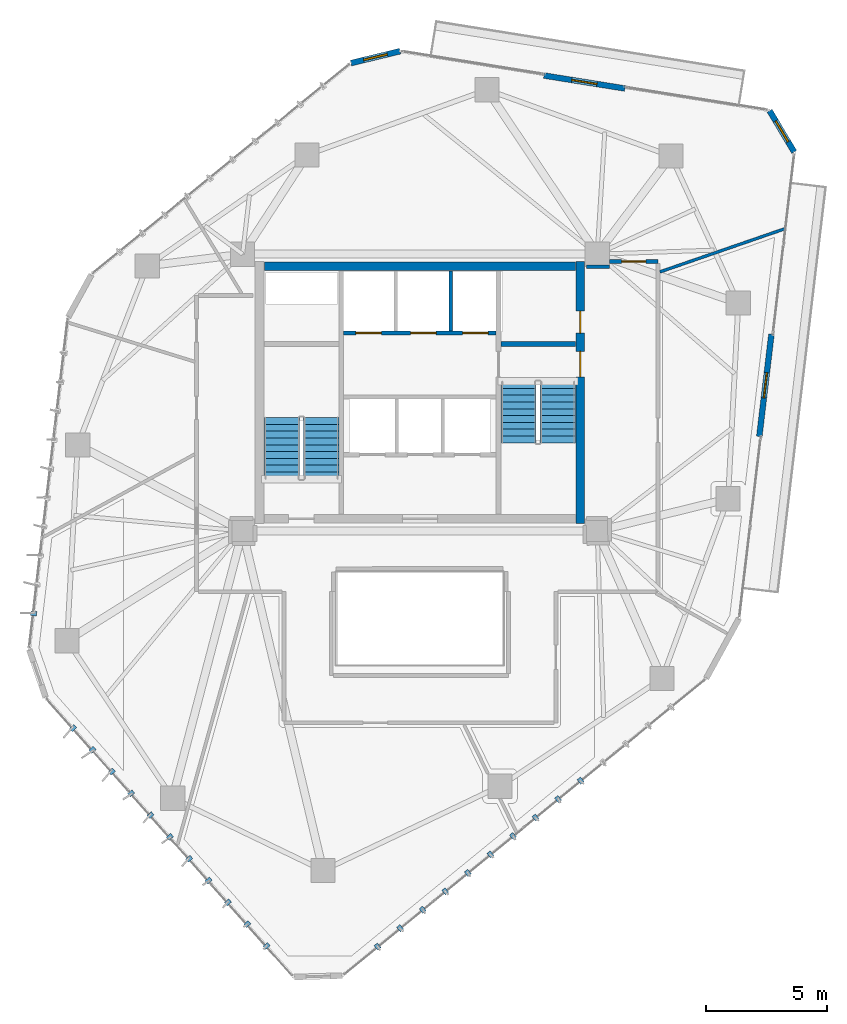
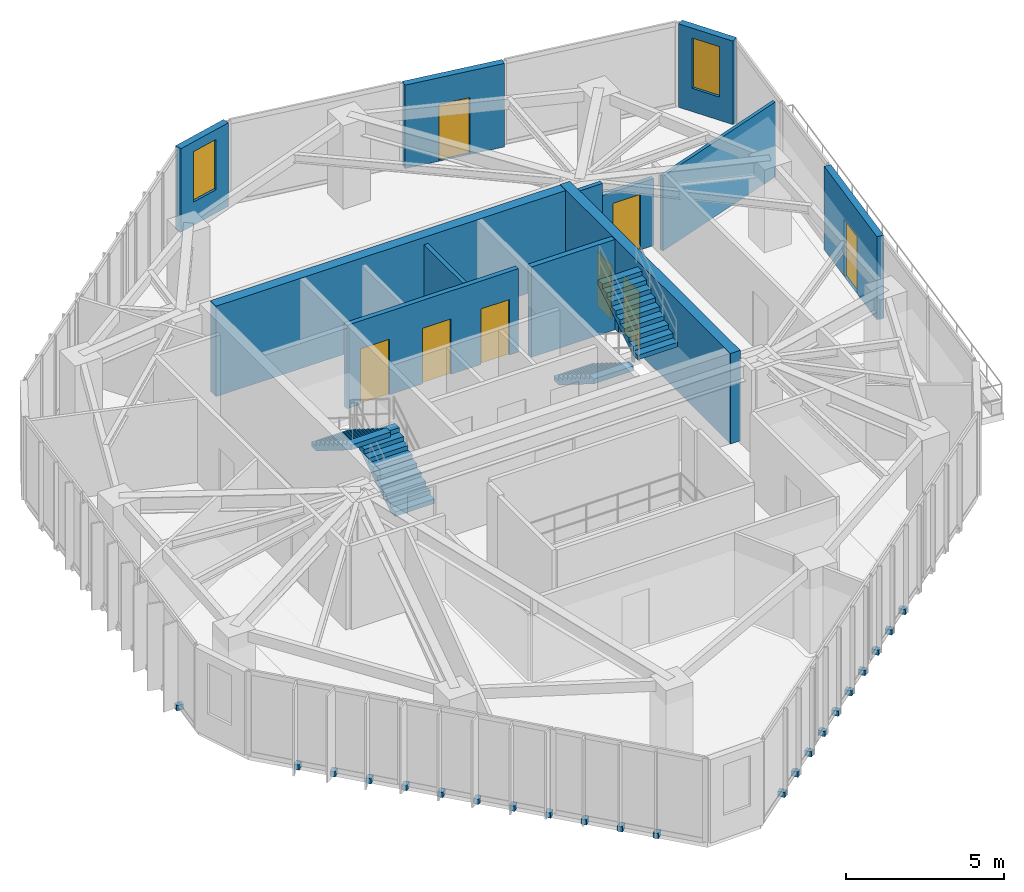
# One storey, part 19 of 22: 22 discrete accessories, 12 walls, 8 doors, 4 stair flights, 2 windows, 10 openings, 2 elements without a shape of their own.
"""IFC4 building model written with IfcOpenShell, lengths in metres."""

import ifcopenshell
import ifcopenshell.guid

model = None  # the IFC model being written
_history = None  # IfcOwnerHistory: only IFC2X3 demands one
_inside = {}  # id of a spatial element -> (the spatial element, [elements in it])
_under = {}  # id of a project, library or spatial element -> (it, [spatial elements below it])
_declared = {}  # id of a project -> (the project, [libraries it declares])
_typed = {}  # id of a type object -> (the type object, [elements of that type])
_made_of = {}  # id of a material, layer set ... -> (it, [elements and type objects made of it])


def new_model(schema):
    """Start an empty IFC model of exactly this schema.

    Asked for "IFC4X3", IfcOpenShell would pick the latest addendum, in which some entities
    have other attributes; the version numbers below select the first issue.
    IFC2X3 requires an IfcOwnerHistory on every rooted entity: one is made here for all.
    """
    global model, _history
    if schema == "IFC4X3":
        model = ifcopenshell.file(schema_version=(4, 3, 0, 0))
    else:
        model = ifcopenshell.file(schema=schema)
    _inside.clear()
    _under.clear()
    _declared.clear()
    _typed.clear()
    _made_of.clear()
    _history = None
    if model.schema == "IFC2X3":
        org = make("IfcOrganization", Name="unknown")
        user = make(
            "IfcPersonAndOrganization",
            ThePerson=make("IfcPerson", FamilyName="unknown"),
            TheOrganization=org,
        )
        app = make(
            "IfcApplication",
            ApplicationDeveloper=org,
            Version="unknown",
            ApplicationFullName="unknown",
            ApplicationIdentifier="unknown",
        )
        _history = make(
            "IfcOwnerHistory",
            OwningUser=user,
            OwningApplication=app,
            ChangeAction="ADDED",
            CreationDate=0,
        )
    return model


def make(cls, **values):
    """One entity of the class cls with the attributes given. An attribute that is None is left unset."""
    return model.create_entity(
        cls, **{name: value for name, value in values.items() if value is not None}
    )


def rooted(cls, **values):
    """An entity with a GlobalId (a new one), such as an element, a storey or a relation."""
    return make(cls, GlobalId=ifcopenshell.guid.new(), OwnerHistory=_history, **values)


def si_unit(unit_type, name, prefix=None):
    """IfcSIUnit, for example si_unit("LENGTHUNIT", "METRE", prefix="MILLI")."""
    return make("IfcSIUnit", UnitType=unit_type, Prefix=prefix, Name=name)


def assignment(units):
    """IfcUnitAssignment: the units of a project."""
    return None if units is None else make("IfcUnitAssignment", Units=units)


def point(xyz):
    """IfcCartesianPoint."""
    return None if xyz is None else make("IfcCartesianPoint", Coordinates=xyz)


def direction(xyz):
    """IfcDirection."""
    return None if xyz is None else make("IfcDirection", DirectionRatios=xyz)


def frame(location, z_axis=None, x_axis=None):
    """IfcAxis2Placement3D, a coordinate frame: its origin and axes. An axis left out is left unset."""
    return make(
        "IfcAxis2Placement3D",
        Location=point(location),
        Axis=direction(z_axis),
        RefDirection=direction(x_axis),
    )


def frame_2d(location, x_axis=None):
    """IfcAxis2Placement2D, a coordinate frame in the plane: its origin and x axis."""
    return make(
        "IfcAxis2Placement2D", Location=point(location), RefDirection=direction(x_axis)
    )


def origin():
    """The frame at (0, 0, 0) with its axes left unset."""
    return frame((0.0, 0.0, 0.0))


def origin_2d():
    """The frame at (0, 0) in the plane with its x axis left unset."""
    return frame_2d((0.0, 0.0))


def place(relative_to, where):
    """IfcLocalPlacement: puts the frame where relative to a parent placement (None: the world)."""
    return make(
        "IfcLocalPlacement", PlacementRelTo=relative_to, RelativePlacement=where
    )


def context(
    kind, dimensions, precision=None, world=None, true_north=None, identifier=None
):
    """IfcGeometricRepresentationContext, for example the 3D "Model" context."""
    return make(
        "IfcGeometricRepresentationContext",
        ContextIdentifier=identifier,
        ContextType=kind,
        CoordinateSpaceDimension=dimensions,
        Precision=precision,
        WorldCoordinateSystem=world,
        TrueNorth=true_north,
    )


def subcontext(parent, identifier, kind, view, scale=None):
    """IfcGeometricRepresentationSubContext, for example "Body" below "Model"."""
    return make(
        "IfcGeometricRepresentationSubContext",
        ContextIdentifier=identifier,
        ContextType=kind,
        ParentContext=parent,
        TargetScale=scale,
        TargetView=view,
    )


def project(units=None, contexts=None):
    """IfcProject with its units and contexts."""
    return rooted(
        "IfcProject",
        Name="project",
        RepresentationContexts=contexts,
        UnitsInContext=assignment(units),
    )


def spatial(cls, under=None, at=None, **own):
    """A site, building, storey or space (cls), placed at a placement, below another one or the project."""
    s = rooted(cls, ObjectPlacement=at, **own)
    if under is not None:
        _under.setdefault(under.id(), (under, []))[1].append(s)
    return s


def polyline(points):
    """IfcPolyline through the points."""
    return make("IfcPolyline", Points=[point(p) for p in points])


def profile(cls, at=None, kind="AREA", **sizes):
    """A parametric profile (cls). Its sizes go by their IFC names, for example OverallWidth=200.0."""
    return make(cls, ProfileType=kind, Position=at, **sizes)


def rectangle(**sizes):
    """IfcRectangleProfileDef."""
    return profile("IfcRectangleProfileDef", **sizes)


def outline(outer, holes=None, kind="AREA"):
    """IfcArbitraryClosedProfileDef: a profile drawn as a closed curve; with holes, ...WithVoids."""
    if holes is None:
        return make("IfcArbitraryClosedProfileDef", ProfileType=kind, OuterCurve=outer)
    return make(
        "IfcArbitraryProfileDefWithVoids",
        ProfileType=kind,
        OuterCurve=outer,
        InnerCurves=holes,
    )


def extrude(swept, where, along, depth):
    """IfcExtrudedAreaSolid: the profile swept, set in the frame where, extruded along a direction by depth."""
    return make(
        "IfcExtrudedAreaSolid",
        SweptArea=swept,
        Position=where,
        ExtrudedDirection=direction(along),
        Depth=depth,
    )


def shape(context_of_items, identifier, shape_type, items):
    """IfcShapeRepresentation: the items that make up one representation, for example the "Body"."""
    return make(
        "IfcShapeRepresentation",
        ContextOfItems=context_of_items,
        RepresentationIdentifier=identifier,
        RepresentationType=shape_type,
        Items=items,
    )


def source(mapping_origin, context_of_items, identifier, shape_type, items):
    """IfcRepresentationMap: a shape defined once, which mapped items show again and again."""
    return make(
        "IfcRepresentationMap",
        MappingOrigin=mapping_origin,
        MappedRepresentation=shape(context_of_items, identifier, shape_type, items),
    )


def transform(
    local_origin,
    x_axis=None,
    y_axis=None,
    z_axis=None,
    scale=None,
    scale2=None,
    scale3=None,
    uniform=True,
):
    """IfcCartesianTransformationOperator3D, or its non-uniform kind. x_axis, y_axis, z_axis: its Axis1, 2, 3."""
    if uniform:
        return make(
            "IfcCartesianTransformationOperator3D",
            Axis1=direction(x_axis),
            Axis2=direction(y_axis),
            LocalOrigin=point(local_origin),
            Scale=scale,
            Axis3=direction(z_axis),
        )
    return make(
        "IfcCartesianTransformationOperator3DnonUniform",
        Axis1=direction(x_axis),
        Axis2=direction(y_axis),
        LocalOrigin=point(local_origin),
        Scale=scale,
        Axis3=direction(z_axis),
        Scale2=scale2,
        Scale3=scale3,
    )


def mapped(mapping_source, mapping_target):
    """IfcMappedItem: shows the shape of a source again, moved by a transform."""
    return make(
        "IfcMappedItem", MappingSource=mapping_source, MappingTarget=mapping_target
    )


def material(Name=None, Category=None):
    """IfcMaterial."""
    return make("IfcMaterial", Name=Name, Category=Category)


def layer(
    of_material, thickness, ventilated=None, Name=None, Category=None, Priority=None
):
    """IfcMaterialLayer: one layer of a wall or slab, of a material (None: an air gap)."""
    return make(
        "IfcMaterialLayer",
        Material=of_material,
        LayerThickness=thickness,
        IsVentilated=ventilated,
        Name=Name,
        Category=Category,
        Priority=Priority,
    )


def layer_set(layers, Name=None):
    """IfcMaterialLayerSet."""
    return make("IfcMaterialLayerSet", MaterialLayers=layers, LayerSetName=Name)


def made_of(thing, what):
    """Note that an element or type object is made of a material, layer set ...; save() writes the relation."""
    if what is not None:
        _made_of.setdefault(what.id(), (what, []))[1].append(thing)
    return thing


def type_object(cls, material=None, **own):
    """A type object (cls), such as IfcWallType, which elements share."""
    return made_of(rooted(cls, **own), material)


def type_shapes(of_type, sources):
    """Give a type object the sources (RepresentationMaps) that its elements show as mapped items."""
    of_type.RepresentationMaps = sources


def element(
    cls,
    number,
    at=None,
    inside=None,
    cuts=None,
    type_object=None,
    material=None,
    context=None,
    identifier="Body",
    shape_type=None,
    held_by="IfcProductDefinitionShape",
    body=None,
    shapes=None,
    **own,
):
    """One element of the class cls, such as IfcWall. Its Tag is "e" and its number.

    at: its placement. inside: the storey or other place that contains it. cuts: it is an
    opening in that element (IfcRelVoidsElement). A single representation is given by context,
    identifier, shape_type and body (its items); several are given by shapes. held_by: the class
    of the entity that holds the representations. save() writes the other relations.
    """
    e = rooted(cls, Tag="e%d" % number, ObjectPlacement=at, **own)
    if body is not None:
        shapes = [shape(context, identifier, shape_type, body)]
    if shapes is not None:
        e.Representation = make(held_by, Representations=shapes)
    if inside is not None:
        _inside.setdefault(inside.id(), (inside, []))[1].append(e)
    if cuts is not None:
        rooted(
            "IfcRelVoidsElement", RelatingBuildingElement=cuts, RelatedOpeningElement=e
        )
    if type_object is not None:
        _typed.setdefault(type_object.id(), (type_object, []))[1].append(e)
    return made_of(e, material)


def fill(opening, filler):
    """IfcRelFillsElement: the door or window that sits in an opening."""
    return rooted(
        "IfcRelFillsElement",
        RelatingOpeningElement=opening,
        RelatedBuildingElement=filler,
    )


def aggregate(whole, parts):
    """IfcRelAggregates: a whole, such as a stair, and the parts it consists of."""
    return rooted("IfcRelAggregates", RelatingObject=whole, RelatedObjects=parts)


def save(model, path):
    """Write the relations noted so far, then the file.

    IfcRelAggregates (storeys below a building ...), IfcRelContainedInSpatialStructure (elements
    in a storey), IfcRelDefinesByType, IfcRelAssociatesMaterial and IfcRelDeclares: one each for
    every whole, place, type object, material and project.
    """
    for whole, parts in _under.values():
        aggregate(whole, parts)
    for where, things in _inside.values():
        rooted(
            "IfcRelContainedInSpatialStructure",
            RelatedElements=things,
            RelatingStructure=where,
        )
    for kind, things in _typed.values():
        rooted("IfcRelDefinesByType", RelatedObjects=things, RelatingType=kind)
    for what, things in _made_of.values():
        rooted("IfcRelAssociatesMaterial", RelatedObjects=things, RelatingMaterial=what)
    for by, libraries in _declared.values():
        rooted("IfcRelDeclares", RelatingContext=by, RelatedDefinitions=libraries)
    model.write(path)


model = new_model("IFC4")

# Units and contexts
model_context = context("Model", 3, precision=1e-05, world=origin(), true_north=direction((0.0, 1.0)))
body_context = subcontext(model_context, "Body", "Model", "MODEL_VIEW")
ifc_project = project(units=[si_unit("LENGTHUNIT", "METRE"), si_unit("AREAUNIT", "SQUARE_METRE"), si_unit("VOLUMEUNIT", "CUBIC_METRE"), si_unit("PLANEANGLEUNIT", "RADIAN"), si_unit("MASSUNIT", "GRAM", prefix="KILO")], contexts=[model_context])

# Site, building, storey
site_placement = place(None, origin())
site = spatial("IfcSite", under=ifc_project, at=site_placement, CompositionType="ELEMENT")
building_placement = place(site_placement, origin())
building = spatial("IfcBuilding", under=site, at=building_placement, Name="Talar Marvaseh", CompositionType="ELEMENT")
storey_placement = place(building_placement, frame((0.0, 0.0, 229.199951171875)))
storey = spatial("IfcBuildingStorey", under=building, at=storey_placement, Name="L60", CompositionType="ELEMENT", Elevation=229.199951171875)

# Wall, opening, window
ifc_material_1 = material(Name="Precast concrete C45/55", Category="concrete")
ifc_layer_1 = layer(ifc_material_1, 0.239990234375)
ifc_layer_set_1 = layer_set([ifc_layer_1], Name="Precast concrete C45/55")
wall_type_1 = type_object("IfcWallType", Name="Chamfered Hexagonal Corner Pier Wall Z3 240", PredefinedType="SOLIDWALL", material=ifc_layer_set_1)
wall_1_placement = place(storey_placement, frame((23.158447265625, 44.766845703125, 0.0), z_axis=(0.0, 0.0, 1.0), x_axis=(0.971863892144, 0.235543149227, 0.0)))
wall_1 = element("IfcWall", 1, at=wall_1_placement, inside=storey, type_object=wall_type_1, Name="L60 Chamfered Corner Limestone Pier 4", PredefinedType="SOLIDWALL", context=body_context, shape_type="SweptSolid", body=[
    extrude(rectangle(XDim=2.088623046875, YDim=0.239990234375, at=frame_2d((1.04443359375, 0.0))), origin(), (0.0, 0.0, 1.0), 3.22998046875),
])
opening_1_placement = place(wall_1_placement, frame((0.5439453125, 0.0, 0.89990234375)))
opening_1 = element("IfcOpeningElement", 2, at=opening_1_placement, cuts=wall_1, Name="Opening WN-CHM10", PredefinedType="OPENING", context=body_context, shape_type="SweptSolid", body=[
    extrude(rectangle(XDim=1.0, YDim=1.949951171875, at=frame_2d((0.5, 0.97509765625))), frame((0.0, 0.1298828125, 0.0), z_axis=(0.0, -1.0, 0.0), x_axis=(1.0, 0.0, 0.0)), (0.0, 0.0, 1.0), 0.260009765625),
])
ifc_material_2 = material(Name="Laminated Low-E Solar Glass", Category="glass")
window_type = type_object("IfcWindowType", Name="Zone 3 Chamfered Corner Slot Window 1000x1950", PartitioningType="SINGLE_PANEL", PredefinedType="WINDOW", material=ifc_material_2)
shared_shape_1 = source(origin(), body_context, "Body", "SweptSolid", [
    extrude(rectangle(XDim=1.0, YDim=1.949951171875, at=frame_2d((0.5, 0.97509765625))), frame((0.0, 0.030029296875, 0.0), z_axis=(0.0, -1.0, 0.0), x_axis=(1.0, 0.0, 0.0)), (0.0, 0.0, 1.0), 0.06005859375),
])
type_shapes(window_type, [shared_shape_1])
window_1_placement = place(opening_1_placement, origin())
window_1 = element("IfcWindow", 3, at=window_1_placement, inside=storey, type_object=window_type, Name="L60 Chamfered Corner Slot Window", OverallHeight=1.949951171875, OverallWidth=1.0, PartitioningType="SINGLE_PANEL", PredefinedType="WINDOW", context=body_context, shape_type="MappedRepresentation", body=[
    mapped(shared_shape_1, transform((0.0, 0.0, 0.0), x_axis=(1.0, 0.0, 0.0), y_axis=(0.0, 1.0, 0.0), z_axis=(0.0, 0.0, 1.0), scale=1.0)),
])
fill(opening_1, window_1)

wall_2_placement = place(storey_placement, frame((40.39990234375, 42.806396484375, 0.0), z_axis=(0.0, 0.0, 1.0), x_axis=(0.512388507924, -0.85875375804, 0.0)))
wall_2 = element("IfcWall", 4, at=wall_2_placement, inside=storey, type_object=wall_type_1, Name="L60 Chamfered Corner Limestone Pier 5", PredefinedType="SOLIDWALL", context=body_context, shape_type="SweptSolid", body=[
    extrude(rectangle(XDim=1.977783203125, YDim=0.239990234375, at=frame_2d((0.98876953125, 0.0))), origin(), (0.0, 0.0, 1.0), 3.22998046875),
])
opening_2_placement = place(wall_2_placement, frame((0.489013671875, 0.0, 0.89990234375)))
opening_2 = element("IfcOpeningElement", 5, at=opening_2_placement, cuts=wall_2, Name="Opening WN-CHM10", PredefinedType="OPENING", context=body_context, shape_type="SweptSolid", body=[
    extrude(rectangle(XDim=1.0, YDim=1.949951171875, at=frame_2d((0.5, 0.97509765625))), frame((0.0, 0.1298828125, 0.0), z_axis=(0.0, -1.0, 0.0), x_axis=(1.0, 0.0, 0.0)), (0.0, 0.0, 1.0), 0.260009765625),
])
window_2_placement = place(opening_2_placement, origin())
window_2 = element("IfcWindow", 6, at=window_2_placement, inside=storey, type_object=window_type, Name="L60 Chamfered Corner Slot Window", OverallHeight=1.949951171875, OverallWidth=1.0, PartitioningType="SINGLE_PANEL", PredefinedType="WINDOW", context=body_context, shape_type="MappedRepresentation", body=[
    mapped(shared_shape_1, transform((0.0, 0.0, 0.0), x_axis=(1.0, 0.0, 0.0), y_axis=(0.0, 1.0, 0.0), z_axis=(0.0, 0.0, 1.0), scale=1.0)),
])
fill(opening_2, window_2)

# Wall, opening, door
ifc_material_3 = material(Name="Gypsum Board Partition Assembly")
ifc_layer_2 = layer(ifc_material_3, 0.155029296875)
ifc_layer_set_2 = layer_set([ifc_layer_2], Name="Gypsum Board Partition Assembly")
wall_type_2 = type_object("IfcWallType", Name="Corridor Fire-Rated Acoustic Partition 155", PredefinedType="PARTITIONING", material=ifc_layer_set_2)
wall_3_placement = place(storey_placement, frame((33.81494140625, 36.60009765625, 0.0), z_axis=(0.0, 0.0, 1.0), x_axis=(1.0, 0.0, 0.0)))
wall_3 = element("IfcWall", 7, at=wall_3_placement, inside=storey, type_object=wall_type_2, Name="L60 Interior Partition Wall", PredefinedType="PARTITIONING", context=body_context, shape_type="SweptSolid", body=[
    extrude(rectangle(XDim=1.985107421875, YDim=0.155029296875, at=frame_2d((0.99267578125, 0.0))), origin(), (0.0, 0.0, 1.0), 2.589111328125),
])
opening_3_placement = place(wall_3_placement, frame((0.492431640625, 0.0, 0.0)))
opening_3 = element("IfcOpeningElement", 8, at=opening_3_placement, cuts=wall_3, Name="Opening DR-RM100", PredefinedType="OPENING", context=body_context, shape_type="SweptSolid", body=[
    extrude(rectangle(XDim=1.0, YDim=2.14990234375, at=frame_2d((0.5, 1.074951171875))), frame((0.0, 0.08740234375, 0.0), z_axis=(0.0, -1.0, 0.0), x_axis=(1.0, 0.0, 0.0)), (0.0, 0.0, 1.0), 0.175048828125),
])
ifc_material_4 = material(Name="Acoustic Engineered Oak Timber", Category="wood")
door_type_1 = type_object("IfcDoorType", Name="Corridor Fire-Rated Gallery Door 1000x2150", OperationType="NOTDEFINED", PredefinedType="DOOR", material=ifc_material_4)
shared_shape_2 = source(origin(), body_context, "Body", "SweptSolid", [
    extrude(rectangle(XDim=1.0, YDim=2.14990234375, at=frame_2d((0.5, 1.074951171875))), frame((0.0, 0.02490234375, 0.0), z_axis=(0.0, -1.0, 0.0), x_axis=(1.0, 0.0, 0.0)), (0.0, 0.0, 1.0), 0.050048828125),
])
type_shapes(door_type_1, [shared_shape_2])
door_1_placement = place(opening_3_placement, origin())
door_1 = element("IfcDoor", 9, at=door_1_placement, inside=storey, type_object=door_type_1, Name="L60 Scholars' Registration Reception Door", OperationType="SINGLE_SWING_RIGHT", OverallHeight=2.14990234375, OverallWidth=1.0, PredefinedType="DOOR", context=body_context, shape_type="MappedRepresentation", body=[
    mapped(shared_shape_2, transform((0.0, 0.0, 0.0), x_axis=(1.0, 0.0, 0.0), y_axis=(0.0, 1.0, 0.0), z_axis=(0.0, 0.0, 1.0), scale=1.0)),
])
fill(opening_3, door_1)

# Walls
wall_4_placement = place(storey_placement, frame((32.8701171875, 36.385009765625, 0.0), z_axis=(0.0, 0.0, 1.0), x_axis=(0.999999965754, 0.000261711585, 0.0)))
element("IfcWall", 10, at=wall_4_placement, inside=storey, type_object=wall_type_2, Name="L60 Interior Partition Wall", PredefinedType="PARTITIONING", context=body_context, shape_type="SweptSolid", body=[
    extrude(rectangle(XDim=0.932861328125, YDim=0.155029296875, at=frame_2d((0.46630859375, 0.0))), origin(), (0.0, 0.0, 1.0), 3.22998046875),
])
ifc_layer_3 = layer(ifc_material_3, 0.1201171875)
ifc_layer_set_3 = layer_set([ifc_layer_3], Name="Gypsum Board Partition Assembly")
wall_type_3 = type_object("IfcWallType", Name="Demountable Studio Room Partition 120", PredefinedType="PARTITIONING", material=ifc_layer_set_3)
wall_5_placement = place(storey_placement, frame((35.883544921875, 36.168701171875, 0.0), z_axis=(0.0, 0.0, 1.0), x_axis=(0.945247072942, 0.326355589956, 0.0)))
element("IfcWall", 11, at=wall_5_placement, inside=storey, type_object=wall_type_3, Name="L60 Interior Partition Wall", PredefinedType="PARTITIONING", context=body_context, shape_type="SweptSolid", body=[
    extrude(rectangle(XDim=5.443115234375, YDim=0.1201171875, at=frame_2d((2.7216796875, 0.0))), origin(), (0.0, 0.0, 1.0), 2.89208984375),
])
ifc_layer_4 = layer(ifc_material_1, 0.14501953125)
ifc_layer_set_4 = layer_set([ifc_layer_4], Name="Precast concrete C45/55")
wall_type_4 = type_object("IfcWallType", Name="Fire-Rated Lift Divider Wall 145", PredefinedType="SOLIDWALL", material=ifc_layer_set_4)
wall_6_placement = place(storey_placement, frame((27.280029296875, 33.743408203125, 0.0), z_axis=(0.0, 0.0, 1.0), x_axis=(0.0, 1.0, 0.0)))
element("IfcWall", 12, at=wall_6_placement, inside=storey, type_object=wall_type_4, Name="L60 FFL-2/SVL-1 Divider", PredefinedType="SOLIDWALL", context=body_context, shape_type="SweptSolid", body=[
    extrude(rectangle(XDim=2.45654296875, YDim=0.14501953125, at=frame_2d((1.228271484375, 0.0))), origin(), (0.0, 0.0, 1.0), 3.22998046875),
])

# Wall, openings, doors
ifc_layer_5 = layer(ifc_material_1, 0.175048828125)
ifc_layer_set_5 = layer_set([ifc_layer_5], Name="Precast concrete C45/55")
wall_type_5 = type_object("IfcWallType", Name="Fire-Rated Lift Hoistway Enclosure Wall 175", PredefinedType="SOLIDWALL", material=ifc_layer_set_5)
wall_7_placement = place(storey_placement, frame((22.860107421875, 33.64990234375, 0.0), z_axis=(0.0, 0.0, 1.0), x_axis=(1.0, 0.0, 0.0)))
wall_7 = element("IfcWall", 13, at=wall_7_placement, inside=storey, type_object=wall_type_5, Name="L60 Firefighting and Service Lift Front Wall", PredefinedType="SOLIDWALL", context=body_context, shape_type="SweptSolid", body=[
    extrude(rectangle(XDim=6.27978515625, YDim=0.175048828125, at=frame_2d((3.139892578125, 0.0))), origin(), (0.0, 0.0, 1.0), 3.22998046875),
])
opening_4_placement = place(wall_7_placement, frame((0.5, 0.0, 0.0)))
opening_4 = element("IfcOpeningElement", 14, at=opening_4_placement, cuts=wall_7, Name="Opening LD-FF1", PredefinedType="OPENING", context=body_context, shape_type="SweptSolid", body=[
    extrude(rectangle(XDim=1.050048828125, YDim=2.14990234375, at=frame_2d((0.52490234375, 1.074951171875))), frame((0.0, 0.09765625, 0.0), z_axis=(0.0, -1.0, 0.0), x_axis=(1.0, 0.0, 0.0)), (0.0, 0.0, 1.0), 0.195068359375),
])
opening_5_placement = place(wall_7_placement, frame((2.760009765625, 0.0, 0.0)))
opening_5 = element("IfcOpeningElement", 15, at=opening_5_placement, cuts=wall_7, Name="Opening LD-FF2", PredefinedType="OPENING", context=body_context, shape_type="SweptSolid", body=[
    extrude(rectangle(XDim=1.050048828125, YDim=2.14990234375, at=frame_2d((0.52490234375, 1.074951171875))), frame((0.0, 0.09765625, 0.0), z_axis=(0.0, -1.0, 0.0), x_axis=(1.0, 0.0, 0.0)), (0.0, 0.0, 1.0), 0.195068359375),
])
opening_6_placement = place(wall_7_placement, frame((4.89990234375, 0.0, 0.0)))
opening_6 = element("IfcOpeningElement", 16, at=opening_6_placement, cuts=wall_7, Name="Opening LD-SV1", PredefinedType="OPENING", context=body_context, shape_type="SweptSolid", body=[
    extrude(rectangle(XDim=1.050048828125, YDim=2.14990234375, at=frame_2d((0.52490234375, 1.074951171875))), frame((0.0, 0.09765625, 0.0), z_axis=(0.0, -1.0, 0.0), x_axis=(1.0, 0.0, 0.0)), (0.0, 0.0, 1.0), 0.195068359375),
])
ifc_material_5 = material(Name="Stainless Steel Grade 316", Category="steel")
door_type_2 = type_object("IfcDoorType", Name="Automatic Sliding Lift Landing Door 1050x2150", OperationType="NOTDEFINED", PredefinedType="DOOR", material=ifc_material_5)
shared_shape_3 = source(origin(), body_context, "Body", "SweptSolid", [
    extrude(rectangle(XDim=1.050048828125, YDim=2.14990234375, at=frame_2d((0.52490234375, 1.074951171875))), frame((0.0, 0.02490234375, 0.0), z_axis=(0.0, -1.0, 0.0), x_axis=(1.0, 0.0, 0.0)), (0.0, 0.0, 1.0), 0.050048828125),
])
type_shapes(door_type_2, [shared_shape_3])
door_2_placement = place(opening_4_placement, origin())
door_2 = element("IfcDoor", 17, at=door_2_placement, inside=storey, type_object=door_type_2, Name="L60 Lift FFL-1 Sliding Landing Door", OperationType="SLIDING_TO_LEFT", OverallHeight=2.14990234375, OverallWidth=1.050048828125, PredefinedType="DOOR", context=body_context, shape_type="MappedRepresentation", body=[
    mapped(shared_shape_3, transform((0.0, 0.0, 0.0), x_axis=(1.0, 0.0, 0.0), y_axis=(0.0, 1.0, 0.0), z_axis=(0.0, 0.0, 1.0), scale=1.0)),
])
fill(opening_4, door_2)
door_3_placement = place(opening_5_placement, origin())
door_3 = element("IfcDoor", 18, at=door_3_placement, inside=storey, type_object=door_type_2, Name="L60 Lift FFL-2 Sliding Landing Door", OperationType="SLIDING_TO_LEFT", OverallHeight=2.14990234375, OverallWidth=1.050048828125, PredefinedType="DOOR", context=body_context, shape_type="MappedRepresentation", body=[
    mapped(shared_shape_3, transform((0.0, 0.0, 0.0), x_axis=(1.0, 0.0, 0.0), y_axis=(0.0, 1.0, 0.0), z_axis=(0.0, 0.0, 1.0), scale=1.0)),
])
fill(opening_5, door_3)
door_4_placement = place(opening_6_placement, origin())
door_4 = element("IfcDoor", 19, at=door_4_placement, inside=storey, type_object=door_type_2, Name="L60 Lift SVL-1 Sliding Landing Door", OperationType="SLIDING_TO_LEFT", OverallHeight=2.14990234375, OverallWidth=1.050048828125, PredefinedType="DOOR", context=body_context, shape_type="MappedRepresentation", body=[
    mapped(shared_shape_3, transform((0.0, 0.0, 0.0), x_axis=(1.0, 0.0, 0.0), y_axis=(0.0, 1.0, 0.0), z_axis=(0.0, 0.0, 1.0), scale=1.0)),
])
fill(opening_6, door_4)

# Wall
ifc_material_6 = material(Name="Concrete C50/60", Category="concrete")
ifc_layer_6 = layer(ifc_material_6, 0.199951171875)
ifc_layer_set_6 = layer_set([ifc_layer_6], Name="Concrete C50/60")
wall_type_6 = type_object("IfcWallType", Name="Stair Shaft Structural Concrete Shear Wall 200", PredefinedType="SHEAR", material=ifc_layer_set_6)
wall_8_placement = place(storey_placement, frame((29.340087890625, 33.199951171875, 0.0), z_axis=(0.0, 0.0, 1.0), x_axis=(1.0, 0.0, 0.0)))
element("IfcWall", 20, at=wall_8_placement, inside=storey, type_object=wall_type_6, Name="L60 Stair ST-2 North Shear Wall", PredefinedType="SHEAR", context=body_context, shape_type="SweptSolid", body=[
    extrude(rectangle(XDim=3.059814453125, YDim=0.199951171875, at=frame_2d((1.52978515625, 0.0))), origin(), (0.0, 0.0, 1.0), 3.5),
])

# Wall, opening, door
ifc_layer_7 = layer(ifc_material_1, 0.235107421875)
ifc_layer_set_7 = layer_set([ifc_layer_7], Name="Precast concrete C45/55")
wall_type_7 = type_object("IfcWallType", Name="Terrace Threshold Glazed Spandrel Wall 235", PredefinedType="SOLIDWALL", material=ifc_layer_set_7)
wall_9_placement = place(storey_placement, frame((31.109375, 44.2548828125, 0.0), z_axis=(0.0, 0.0, 1.0), x_axis=(0.987425728725, -0.158083617912, 0.0)))
wall_9 = element("IfcWall", 21, at=wall_9_placement, inside=storey, type_object=wall_type_7, Name="L60 Terrace Threshold Wall", PredefinedType="SOLIDWALL", context=body_context, shape_type="SweptSolid", body=[
    extrude(rectangle(XDim=3.37451171875, YDim=0.235107421875, at=frame_2d((1.687255859375, 0.0))), origin(), (0.0, 0.0, 1.0), 3.22998046875),
])
opening_7_placement = place(wall_9_placement, frame((1.162109375, 0.0, 0.0)))
opening_7 = element("IfcOpeningElement", 22, at=opening_7_placement, cuts=wall_9, Name="Opening DR-TER10", PredefinedType="OPENING", context=body_context, shape_type="SweptSolid", body=[
    extrude(rectangle(XDim=1.050048828125, YDim=2.199951171875, at=frame_2d((0.52490234375, 1.10009765625))), frame((0.0, 0.12744140625, 0.0), z_axis=(0.0, -1.0, 0.0), x_axis=(1.0, 0.0, 0.0)), (0.0, 0.0, 1.0), 0.255126953125),
])
ifc_material_7 = material(Name="Architectural Aluminium", Category="aluminium")
door_type_3 = type_object("IfcDoorType", Name="External Terrace Weatherproof Glazed Door 1050x2200", OperationType="NOTDEFINED", PredefinedType="DOOR", material=ifc_material_7)
shared_shape_4 = source(origin(), body_context, "Body", "SweptSolid", [
    extrude(rectangle(XDim=1.050048828125, YDim=2.199951171875, at=frame_2d((0.52490234375, 1.10009765625))), frame((0.0, 0.02490234375, 0.0), z_axis=(0.0, -1.0, 0.0), x_axis=(1.0, 0.0, 0.0)), (0.0, 0.0, 1.0), 0.050048828125),
])
type_shapes(door_type_3, [shared_shape_4])
door_5_placement = place(opening_7_placement, origin())
door_5 = element("IfcDoor", 23, at=door_5_placement, inside=storey, type_object=door_type_3, Name="L60 External Planted Terrace Access Door", OperationType="SINGLE_SWING_LEFT", OverallHeight=2.199951171875, OverallWidth=1.050048828125, PredefinedType="DOOR", context=body_context, shape_type="MappedRepresentation", body=[
    mapped(shared_shape_4, transform((0.0, 0.0, 0.0), x_axis=(1.0, 0.0, 0.0), y_axis=(0.0, 1.0, 0.0), z_axis=(0.0, 0.0, 1.0), scale=1.0)),
])
fill(opening_7, door_5)

wall_10_placement = place(storey_placement, frame((40.4765625, 33.607177734375, 0.0), z_axis=(0.0, 0.0, 1.0), x_axis=(-0.11771580684, -0.993047324562, 0.0)))
wall_10 = element("IfcWall", 24, at=wall_10_placement, inside=storey, type_object=wall_type_7, Name="L60 Terrace Threshold Wall", PredefinedType="SOLIDWALL", context=body_context, shape_type="SweptSolid", body=[
    extrude(rectangle(XDim=4.243408203125, YDim=0.235107421875, at=frame_2d((2.12158203125, 0.0))), origin(), (0.0, 0.0, 1.0), 3.22998046875),
])
opening_8_placement = place(wall_10_placement, frame((1.596923828125, 0.0, 0.0)))
opening_8 = element("IfcOpeningElement", 25, at=opening_8_placement, cuts=wall_10, Name="Opening DR-TER10", PredefinedType="OPENING", context=body_context, shape_type="SweptSolid", body=[
    extrude(rectangle(XDim=1.050048828125, YDim=2.199951171875, at=frame_2d((0.52490234375, 1.10009765625))), frame((0.0, 0.12744140625, 0.0), z_axis=(0.0, -1.0, 0.0), x_axis=(1.0, 0.0, 0.0)), (0.0, 0.0, 1.0), 0.255126953125),
])
door_6_placement = place(opening_8_placement, origin())
door_6 = element("IfcDoor", 26, at=door_6_placement, inside=storey, type_object=door_type_3, Name="L60 External Planted Terrace Access Door", OperationType="SINGLE_SWING_RIGHT", OverallHeight=2.199951171875, OverallWidth=1.050048828125, PredefinedType="DOOR", context=body_context, shape_type="MappedRepresentation", body=[
    mapped(shared_shape_4, transform((0.0, 0.0, 0.0), x_axis=(1.0, 0.0, 0.0), y_axis=(0.0, 1.0, 0.0), z_axis=(0.0, 0.0, 1.0), scale=1.0)),
])
fill(opening_8, door_6)

# Wall, openings, doors
ifc_layer_8 = layer(ifc_material_6, 0.360107421875)
ifc_layer_set_8 = layer_set([ifc_layer_8], Name="Concrete C50/60")
wall_type_8 = type_object("IfcWallType", Name="Upper Core Reinforced Concrete Shear Wall 360", PredefinedType="SHEAR", material=ifc_layer_set_8)
wall_11_placement = place(storey_placement, frame((32.60009765625, 36.60009765625, 0.0), z_axis=(0.0, 0.0, 1.0), x_axis=(0.0, -1.0, 0.0)))
wall_11 = element("IfcWall", 27, at=wall_11_placement, inside=storey, type_object=wall_type_8, Name="L60 East Core Shear Wall", PredefinedType="SHEAR", context=body_context, shape_type="SweptSolid", body=[
    extrude(rectangle(XDim=10.800048828125, YDim=0.360107421875, at=frame_2d((5.39990234375, 0.0))), origin(), (0.0, 0.0, 1.0), 3.5),
])
opening_9_placement = place(wall_11_placement, frame((3.699951171875, 0.0, 0.0)))
opening_9 = element("IfcOpeningElement", 28, at=opening_9_placement, cuts=wall_11, Name="Opening DR-ST105", PredefinedType="OPENING", context=body_context, shape_type="SweptSolid", body=[
    extrude(rectangle(XDim=1.050048828125, YDim=2.14990234375, at=frame_2d((0.52490234375, 1.074951171875))), frame((0.0, 0.18994140625, 0.0), z_axis=(0.0, -1.0, 0.0), x_axis=(1.0, 0.0, 0.0)), (0.0, 0.0, 1.0), 0.380126953125),
])
opening_10_placement = place(wall_11_placement, frame((2.050048828125, 0.0, 0.0)))
opening_10 = element("IfcOpeningElement", 29, at=opening_10_placement, cuts=wall_11, Name="Opening DR-BOH090", PredefinedType="OPENING", context=body_context, shape_type="SweptSolid", body=[
    extrude(rectangle(XDim=0.89990234375, YDim=2.10009765625, at=frame_2d((0.449951171875, 1.050048828125))), frame((0.0, 0.18994140625, 0.0), z_axis=(0.0, -1.0, 0.0), x_axis=(1.0, 0.0, 0.0)), (0.0, 0.0, 1.0), 0.380126953125),
])
ifc_material_8 = material(Name="Fire-Rated Steel Door Leaf", Category="steel")
door_type_4 = type_object("IfcDoorType", Name="Protected Exit Stair Fire Door 1050x2150", OperationType="NOTDEFINED", PredefinedType="DOOR", material=ifc_material_8)
shared_shape_5 = source(origin(), body_context, "Body", "SweptSolid", [
    extrude(rectangle(XDim=1.050048828125, YDim=2.14990234375, at=frame_2d((0.52490234375, 1.074951171875))), frame((0.0, 0.02490234375, 0.0), z_axis=(0.0, -1.0, 0.0), x_axis=(1.0, 0.0, 0.0)), (0.0, 0.0, 1.0), 0.050048828125),
])
type_shapes(door_type_4, [shared_shape_5])
door_7_placement = place(opening_9_placement, origin())
door_7 = element("IfcDoor", 30, at=door_7_placement, inside=storey, type_object=door_type_4, Name="L60 Stair ST-2 Corridor Exit Door", OperationType="SINGLE_SWING_LEFT", OverallHeight=2.14990234375, OverallWidth=1.050048828125, PredefinedType="DOOR", context=body_context, shape_type="MappedRepresentation", body=[
    mapped(shared_shape_5, transform((0.0, 0.0, 0.0), x_axis=(1.0, 0.0, 0.0), y_axis=(0.0, 1.0, 0.0), z_axis=(0.0, 0.0, 1.0), scale=1.0)),
])
fill(opening_9, door_7)
door_type_5 = type_object("IfcDoorType", Name="Core Back-of-House Service Door 900x2100", OperationType="NOTDEFINED", PredefinedType="DOOR", material=ifc_material_8)
shared_shape_6 = source(origin(), body_context, "Body", "SweptSolid", [
    extrude(rectangle(XDim=0.89990234375, YDim=2.10009765625, at=frame_2d((0.449951171875, 1.050048828125))), frame((0.0, 0.02490234375, 0.0), z_axis=(0.0, -1.0, 0.0), x_axis=(1.0, 0.0, 0.0)), (0.0, 0.0, 1.0), 0.050048828125),
])
type_shapes(door_type_5, [shared_shape_6])
door_8_placement = place(opening_10_placement, origin())
door_8 = element("IfcDoor", 31, at=door_8_placement, inside=storey, type_object=door_type_5, Name="L60 Store Core East Archive Room Door", OperationType="SINGLE_SWING_RIGHT", OverallHeight=2.10009765625, OverallWidth=0.89990234375, PredefinedType="DOOR", context=body_context, shape_type="MappedRepresentation", body=[
    mapped(shared_shape_6, transform((0.0, 0.0, 0.0), x_axis=(1.0, 0.0, 0.0), y_axis=(0.0, 1.0, 0.0), z_axis=(0.0, 0.0, 1.0), scale=1.0)),
])
fill(opening_10, door_8)

# Wall
wall_12_placement = place(storey_placement, frame((19.60009765625, 36.39990234375, 0.0), z_axis=(0.0, 0.0, 1.0), x_axis=(1.0, 0.0, 0.0)))
element("IfcWall", 32, at=wall_12_placement, inside=storey, type_object=wall_type_8, Name="L60 North Core Shear Wall", PredefinedType="SHEAR", context=body_context, shape_type="SweptSolid", body=[
    extrude(rectangle(XDim=12.7998046875, YDim=0.360107421875, at=frame_2d((6.39990234375, 0.0))), origin(), (0.0, 0.0, 1.0), 3.5),
])

# Stair, stair flights
ifc_material_9 = material(Name="Concrete C40/50", Category="concrete")
stair_type = type_object("IfcStairType", Name="Reinforced Concrete High-Rise Exit Stair Type C", PredefinedType="HALF_TURN_STAIR", material=ifc_material_9)
stair_1_placement = place(storey_placement, origin())
stair_1 = element("IfcStair", 33, at=stair_1_placement, inside=storey, type_object=stair_type, Name="L60 Tower West Core Exit Stair", PredefinedType="HALF_TURN_STAIR")
ifc_layer_9 = layer(ifc_material_9, 0.159912109375)
ifc_layer_set_9 = layer_set([ifc_layer_9], Name="Concrete C40/50")
stair_flight_type = type_object("IfcStairFlightType", Name="Reinforced Concrete Straight Stair Flight 160", PredefinedType="STRAIGHT", material=ifc_layer_set_9)
stair_flight_1_placement = place(storey_placement, frame((21.93505859375, 27.64990234375, 0.0), z_axis=(0.0, 0.0, 1.0), x_axis=(0.0, 1.0, 0.0)))
stair_flight_1 = element("IfcStairFlight", 34, at=stair_flight_1_placement, type_object=stair_flight_type, Name="ST-1 flight 1", NumberOfRisers=10, NumberOfTreads=9, PredefinedType="STRAIGHT", RiserHeight=0.175, TreadLength=0.28, context=body_context, shape_type="SweptSolid", body=[
    extrude(outline(polyline([(0.0, 0.0), (0.0, 0.175048828125), (0.280029296875, 0.175048828125), (0.280029296875, 0.35009765625), (0.56005859375, 0.35009765625), (0.56005859375, 0.52490234375), (0.840087890625, 0.52490234375), (0.840087890625, 0.699951171875), (1.1201171875, 0.699951171875), (1.1201171875, 0.875), (1.39990234375, 0.875), (1.39990234375, 1.050048828125), (1.679931640625, 1.050048828125), (1.679931640625, 1.22509765625), (1.9599609375, 1.22509765625), (1.9599609375, 1.39990234375), (2.239990234375, 1.39990234375), (2.239990234375, 1.574951171875), (2.52001953125, 1.574951171875), (2.52001953125, 1.75), (2.52001953125, 1.386474609375), (0.3017578125, 0.0), (0.0, 0.0)])), frame((0.0, 0.72509765625, 0.0), z_axis=(0.0, -1.0, 0.0), x_axis=(1.0, 0.0, 0.0)), (0.0, 0.0, 1.0), 1.449951171875),
])
stair_flight_2_placement = place(storey_placement, frame((20.324951171875, 30.169921875, 1.75), z_axis=(0.0, 0.0, 1.0), x_axis=(0.0, -1.0, 0.0)))
stair_flight_2 = element("IfcStairFlight", 35, at=stair_flight_2_placement, type_object=stair_flight_type, Name="ST-1 flight 2", NumberOfRisers=10, NumberOfTreads=9, PredefinedType="STRAIGHT", RiserHeight=0.175, TreadLength=0.28, context=body_context, shape_type="SweptSolid", body=[
    extrude(outline(polyline([(0.0, 0.0), (0.0, 0.175048828125), (0.280029296875, 0.175048828125), (0.280029296875, 0.35009765625), (0.56005859375, 0.35009765625), (0.56005859375, 0.52490234375), (0.840087890625, 0.52490234375), (0.840087890625, 0.699951171875), (1.1201171875, 0.699951171875), (1.1201171875, 0.875), (1.39990234375, 0.875), (1.39990234375, 1.050048828125), (1.679931640625, 1.050048828125), (1.679931640625, 1.22509765625), (1.9599609375, 1.22509765625), (1.9599609375, 1.39990234375), (2.239990234375, 1.39990234375), (2.239990234375, 1.574951171875), (2.52001953125, 1.574951171875), (2.52001953125, 1.75), (2.52001953125, 1.386474609375), (0.3017578125, 0.0), (0.0, 0.0)])), frame((0.0, 0.72509765625, 0.0), z_axis=(0.0, -1.0, 0.0), x_axis=(1.0, 0.0, 0.0)), (0.0, 0.0, 1.0), 1.449951171875),
])
aggregate(stair_1, [stair_flight_1, stair_flight_2])

stair_2_placement = place(storey_placement, origin())
stair_2 = element("IfcStair", 36, at=stair_2_placement, inside=storey, type_object=stair_type, Name="L60 Tower East Core Exit Stair", PredefinedType="HALF_TURN_STAIR")
stair_flight_3_placement = place(storey_placement, frame((30.06494140625, 31.64990234375, 0.0), z_axis=(0.0, 0.0, 1.0), x_axis=(0.0, -1.0, 0.0)))
stair_flight_3 = element("IfcStairFlight", 37, at=stair_flight_3_placement, type_object=stair_flight_type, Name="ST-2 flight 1", NumberOfRisers=10, NumberOfTreads=9, PredefinedType="STRAIGHT", RiserHeight=0.175, TreadLength=0.28, context=body_context, shape_type="SweptSolid", body=[
    extrude(outline(polyline([(0.0, 0.0), (0.0, 0.175048828125), (0.280029296875, 0.175048828125), (0.280029296875, 0.35009765625), (0.56005859375, 0.35009765625), (0.56005859375, 0.52490234375), (0.840087890625, 0.52490234375), (0.840087890625, 0.699951171875), (1.1201171875, 0.699951171875), (1.1201171875, 0.875), (1.39990234375, 0.875), (1.39990234375, 1.050048828125), (1.679931640625, 1.050048828125), (1.679931640625, 1.22509765625), (1.9599609375, 1.22509765625), (1.9599609375, 1.39990234375), (2.239990234375, 1.39990234375), (2.239990234375, 1.574951171875), (2.52001953125, 1.574951171875), (2.52001953125, 1.75), (2.52001953125, 1.386474609375), (0.3017578125, 0.0), (0.0, 0.0)])), frame((0.0, 0.72509765625, 0.0), z_axis=(0.0, -1.0, 0.0), x_axis=(1.0, 0.0, 0.0)), (0.0, 0.0, 1.0), 1.449951171875),
])
stair_flight_4_placement = place(storey_placement, frame((31.675048828125, 29.1298828125, 1.75), z_axis=(0.0, 0.0, 1.0), x_axis=(0.0, 1.0, 0.0)))
stair_flight_4 = element("IfcStairFlight", 38, at=stair_flight_4_placement, type_object=stair_flight_type, Name="ST-2 flight 2", NumberOfRisers=10, NumberOfTreads=9, PredefinedType="STRAIGHT", RiserHeight=0.175, TreadLength=0.28, context=body_context, shape_type="SweptSolid", body=[
    extrude(outline(polyline([(0.0, 0.0), (0.0, 0.175048828125), (0.280029296875, 0.175048828125), (0.280029296875, 0.35009765625), (0.56005859375, 0.35009765625), (0.56005859375, 0.52490234375), (0.840087890625, 0.52490234375), (0.840087890625, 0.699951171875), (1.1201171875, 0.699951171875), (1.1201171875, 0.875), (1.39990234375, 0.875), (1.39990234375, 1.050048828125), (1.679931640625, 1.050048828125), (1.679931640625, 1.22509765625), (1.9599609375, 1.22509765625), (1.9599609375, 1.39990234375), (2.239990234375, 1.39990234375), (2.239990234375, 1.574951171875), (2.52001953125, 1.574951171875), (2.52001953125, 1.75), (2.52001953125, 1.386474609375), (0.3017578125, 0.0), (0.0, 0.0)])), frame((0.0, 0.72509765625, 0.0), z_axis=(0.0, -1.0, 0.0), x_axis=(1.0, 0.0, 0.0)), (0.0, 0.0, 1.0), 1.449951171875),
])
aggregate(stair_2, [stair_flight_3, stair_flight_4])

# Discrete accessories
discrete_accessory_type = type_object("IfcDiscreteAccessoryType", Name="Stainless Slab-Edge Fin Mounting Bracket", PredefinedType="BRACKET", material=ifc_material_5)
shared_shape_7 = source(origin(), body_context, "Body", "SweptSolid", [
    extrude(rectangle(XDim=0.239990234375, YDim=0.179931640625, at=origin_2d()), origin(), (0.0, 0.0, 1.0), 0.199951171875),
])
type_shapes(discrete_accessory_type, [shared_shape_7])
for number, where, z_axis, x_axis, name in (
    (39, (19.68798828125, 8.4130859375, -0.1796875), (0.0, 0.0, 1.0), (-0.747798090499, -0.663926212652, 0.0), "L60 Vertical Fin Slab-Edge Bracket"),
    (40, (18.891357421875, 9.310546875, -0.1796875), (0.0, 0.0, 1.0), (-0.747798090499, -0.663926212652, 0.0), "L60 Vertical Fin Slab-Edge Bracket"),
    (41, (18.094482421875, 10.2080078125, -0.1796875), (0.0, 0.0, 1.0), (-0.747798090499, -0.663926212652, 0.0), "L60 Vertical Fin Slab-Edge Bracket"),
    (42, (17.298095703125, 11.105224609375, -0.1796875), (0.0, 0.0, 1.0), (-0.747798090499, -0.663926212652, 0.0), "L60 Vertical Fin Slab-Edge Bracket"),
    (43, (16.501220703125, 12.002685546875, -0.1796875), (0.0, 0.0, 1.0), (-0.747798090499, -0.663926212652, 0.0), "L60 Vertical Fin Slab-Edge Bracket"),
    (44, (15.70458984375, 12.900146484375, -0.1796875), (0.0, 0.0, 1.0), (-0.747798090499, -0.663926212652, 0.0), "L60 Vertical Fin Slab-Edge Bracket"),
    (45, (14.907958984375, 13.797607421875, -0.1796875), (0.0, 0.0, 1.0), (-0.747798090499, -0.663926212652, 0.0), "L60 Vertical Fin Slab-Edge Bracket"),
    (46, (14.111328125, 14.69482421875, -0.1796875), (0.0, 0.0, 1.0), (-0.747798090499, -0.663926212652, 0.0), "L60 Vertical Fin Slab-Edge Bracket"),
    (47, (13.314697265625, 15.59228515625, -0.1796875), (0.0, 0.0, 1.0), (-0.747798090499, -0.663926212652, 0.0), "L60 Vertical Fin Slab-Edge Bracket"),
    (48, (12.51806640625, 16.48974609375, -0.1796875), (0.0, 0.0, 1.0), (-0.747798090499, -0.663926212652, 0.0), "L60 Vertical Fin Slab-Edge Bracket"),
    (49, (11.72119140625, 17.38720703125, -0.1796875), (0.0, 0.0, 1.0), (-0.747798090499, -0.663926212652, 0.0), "L60 Vertical Fin Slab-Edge Bracket"),
    (50, (10.097900390625, 22.09912109375, -0.1796875), (0.0, 0.0, 1.0), (-0.9932113148, 0.116324048041, 0.0), "L60 Vertical Fin Slab-Edge Bracket"),
    (51, (32.61865234375, 15.219482421875, -0.1796875), (0.0, 0.0, 1.0), (0.632840475939, -0.774282204376, 0.0), "L60 Vertical Fin Slab-Edge Bracket"),
    (52, (31.689453125, 14.4599609375, -0.1796875), (0.0, 0.0, 1.0), (0.632840475939, -0.774282204376, 0.0), "L60 Vertical Fin Slab-Edge Bracket"),
    (53, (30.76025390625, 13.70068359375, -0.1796875), (0.0, 0.0, 1.0), (0.632840475939, -0.774282204376, 0.0), "L60 Vertical Fin Slab-Edge Bracket"),
    (54, (29.8310546875, 12.941162109375, -0.1796875), (0.0, 0.0, 1.0), (0.632840475939, -0.774282204376, 0.0), "L60 Vertical Fin Slab-Edge Bracket"),
    (55, (28.902099609375, 12.181884765625, -0.1796875), (0.0, 0.0, 1.0), (0.632840475939, -0.774282204376, 0.0), "L60 Vertical Fin Slab-Edge Bracket"),
    (56, (27.972900390625, 11.422607421875, -0.1796875), (0.0, 0.0, 1.0), (0.632840475939, -0.774282204376, 0.0), "L60 Vertical Fin Slab-Edge Bracket"),
    (57, (27.043701171875, 10.6630859375, -0.1796875), (0.0, 0.0, 1.0), (0.632840475939, -0.774282204376, 0.0), "L60 Vertical Fin Slab-Edge Bracket"),
    (58, (26.114501953125, 9.90380859375, -0.1796875), (0.0, 0.0, 1.0), (0.632840475939, -0.774282204376, 0.0), "L60 Vertical Fin Slab-Edge Bracket"),
    (59, (25.185302734375, 9.144287109375, -0.1796875), (0.0, 0.0, 1.0), (0.632840475939, -0.774282204376, 0.0), "L60 Vertical Fin Slab-Edge Bracket"),
    (60, (24.256103515625, 8.385009765625, -0.1796875), (0.0, 0.0, 1.0), (0.632840475939, -0.774282204376, 0.0), "L60 Vertical Fin Slab-Edge Bracket"),
):
    element("IfcDiscreteAccessory", number, at=place(storey_placement, frame(where, z_axis=z_axis, x_axis=x_axis)), inside=storey, type_object=discrete_accessory_type, Name=name, PredefinedType="BRACKET", context=body_context, shape_type="MappedRepresentation", body=[
        mapped(shared_shape_7, transform((0.0, 0.0, 0.0), x_axis=(1.0, 0.0, 0.0), y_axis=(0.0, 1.0, 0.0), z_axis=(0.0, 0.0, 1.0), scale=1.0)),
    ])

save(model, "model.ifc")
